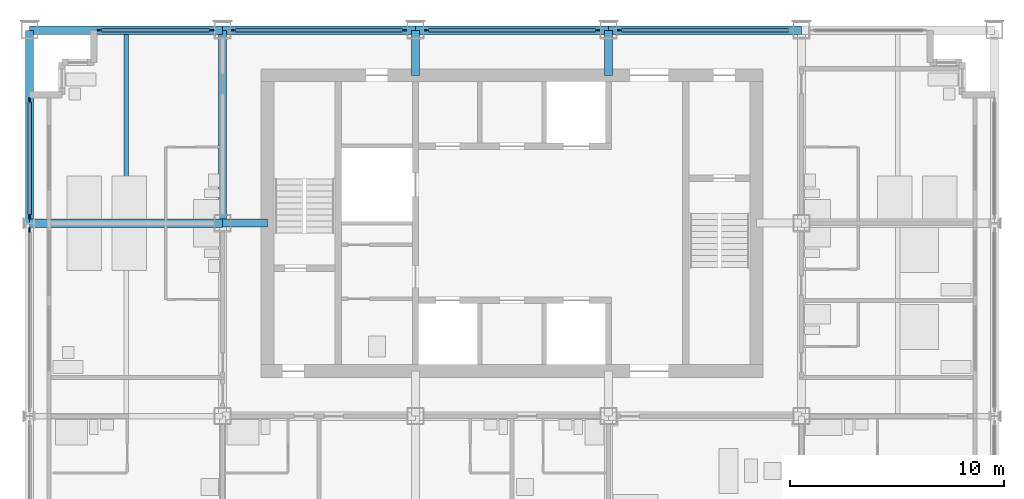
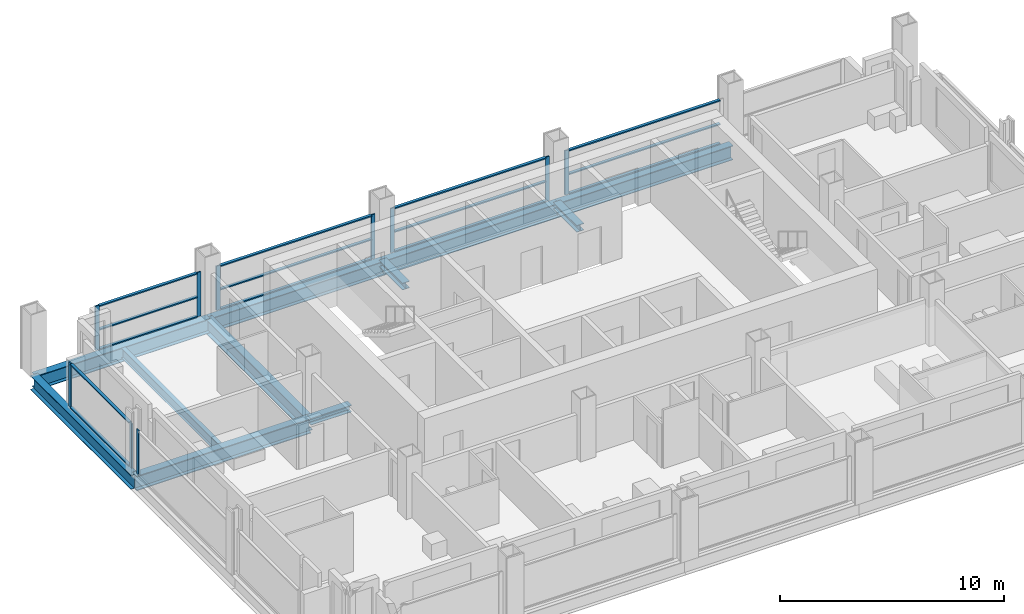
# One storey, part 4 of 13: 27 members, 8 beams, 6 elements without a shape of their own.
"""IFC4 building model written with IfcOpenShell, lengths in metres."""

import ifcopenshell
import ifcopenshell.guid

model = None  # the IFC model being written
_history = None  # IfcOwnerHistory: only IFC2X3 demands one
_inside = {}  # id of a spatial element -> (the spatial element, [elements in it])
_under = {}  # id of a project, library or spatial element -> (it, [spatial elements below it])
_declared = {}  # id of a project -> (the project, [libraries it declares])
_typed = {}  # id of a type object -> (the type object, [elements of that type])
_made_of = {}  # id of a material, layer set ... -> (it, [elements and type objects made of it])


def new_model(schema):
    """Start an empty IFC model of exactly this schema.

    Asked for "IFC4X3", IfcOpenShell would pick the latest addendum, in which some entities
    have other attributes; the version numbers below select the first issue.
    IFC2X3 requires an IfcOwnerHistory on every rooted entity: one is made here for all.
    """
    global model, _history
    if schema == "IFC4X3":
        model = ifcopenshell.file(schema_version=(4, 3, 0, 0))
    else:
        model = ifcopenshell.file(schema=schema)
    _inside.clear()
    _under.clear()
    _declared.clear()
    _typed.clear()
    _made_of.clear()
    _history = None
    if model.schema == "IFC2X3":
        org = make("IfcOrganization", Name="unknown")
        user = make(
            "IfcPersonAndOrganization",
            ThePerson=make("IfcPerson", FamilyName="unknown"),
            TheOrganization=org,
        )
        app = make(
            "IfcApplication",
            ApplicationDeveloper=org,
            Version="unknown",
            ApplicationFullName="unknown",
            ApplicationIdentifier="unknown",
        )
        _history = make(
            "IfcOwnerHistory",
            OwningUser=user,
            OwningApplication=app,
            ChangeAction="ADDED",
            CreationDate=0,
        )
    return model


def make(cls, **values):
    """One entity of the class cls with the attributes given. An attribute that is None is left unset."""
    return model.create_entity(
        cls, **{name: value for name, value in values.items() if value is not None}
    )


def rooted(cls, **values):
    """An entity with a GlobalId (a new one), such as an element, a storey or a relation."""
    return make(cls, GlobalId=ifcopenshell.guid.new(), OwnerHistory=_history, **values)


def si_unit(unit_type, name, prefix=None):
    """IfcSIUnit, for example si_unit("LENGTHUNIT", "METRE", prefix="MILLI")."""
    return make("IfcSIUnit", UnitType=unit_type, Prefix=prefix, Name=name)


def assignment(units):
    """IfcUnitAssignment: the units of a project."""
    return None if units is None else make("IfcUnitAssignment", Units=units)


def point(xyz):
    """IfcCartesianPoint."""
    return None if xyz is None else make("IfcCartesianPoint", Coordinates=xyz)


def direction(xyz):
    """IfcDirection."""
    return None if xyz is None else make("IfcDirection", DirectionRatios=xyz)


def frame(location, z_axis=None, x_axis=None):
    """IfcAxis2Placement3D, a coordinate frame: its origin and axes. An axis left out is left unset."""
    return make(
        "IfcAxis2Placement3D",
        Location=point(location),
        Axis=direction(z_axis),
        RefDirection=direction(x_axis),
    )


def frame_2d(location, x_axis=None):
    """IfcAxis2Placement2D, a coordinate frame in the plane: its origin and x axis."""
    return make(
        "IfcAxis2Placement2D", Location=point(location), RefDirection=direction(x_axis)
    )


def origin():
    """The frame at (0, 0, 0) with its axes left unset."""
    return frame((0.0, 0.0, 0.0))


def origin_2d():
    """The frame at (0, 0) in the plane with its x axis left unset."""
    return frame_2d((0.0, 0.0))


def place(relative_to, where):
    """IfcLocalPlacement: puts the frame where relative to a parent placement (None: the world)."""
    return make(
        "IfcLocalPlacement", PlacementRelTo=relative_to, RelativePlacement=where
    )


def context(
    kind, dimensions, precision=None, world=None, true_north=None, identifier=None
):
    """IfcGeometricRepresentationContext, for example the 3D "Model" context."""
    return make(
        "IfcGeometricRepresentationContext",
        ContextIdentifier=identifier,
        ContextType=kind,
        CoordinateSpaceDimension=dimensions,
        Precision=precision,
        WorldCoordinateSystem=world,
        TrueNorth=true_north,
    )


def subcontext(parent, identifier, kind, view, scale=None):
    """IfcGeometricRepresentationSubContext, for example "Body" below "Model"."""
    return make(
        "IfcGeometricRepresentationSubContext",
        ContextIdentifier=identifier,
        ContextType=kind,
        ParentContext=parent,
        TargetScale=scale,
        TargetView=view,
    )


def project(units=None, contexts=None):
    """IfcProject with its units and contexts."""
    return rooted(
        "IfcProject",
        Name="project",
        RepresentationContexts=contexts,
        UnitsInContext=assignment(units),
    )


def spatial(cls, under=None, at=None, **own):
    """A site, building, storey or space (cls), placed at a placement, below another one or the project."""
    s = rooted(cls, ObjectPlacement=at, **own)
    if under is not None:
        _under.setdefault(under.id(), (under, []))[1].append(s)
    return s


def profile(cls, at=None, kind="AREA", **sizes):
    """A parametric profile (cls). Its sizes go by their IFC names, for example OverallWidth=200.0."""
    return make(cls, ProfileType=kind, Position=at, **sizes)


def rectangle(**sizes):
    """IfcRectangleProfileDef."""
    return profile("IfcRectangleProfileDef", **sizes)


def i_section(**sizes):
    """IfcIShapeProfileDef."""
    return profile("IfcIShapeProfileDef", **sizes)


def extrude(swept, where, along, depth):
    """IfcExtrudedAreaSolid: the profile swept, set in the frame where, extruded along a direction by depth."""
    return make(
        "IfcExtrudedAreaSolid",
        SweptArea=swept,
        Position=where,
        ExtrudedDirection=direction(along),
        Depth=depth,
    )


def shape(context_of_items, identifier, shape_type, items):
    """IfcShapeRepresentation: the items that make up one representation, for example the "Body"."""
    return make(
        "IfcShapeRepresentation",
        ContextOfItems=context_of_items,
        RepresentationIdentifier=identifier,
        RepresentationType=shape_type,
        Items=items,
    )


def material(Name=None, Category=None):
    """IfcMaterial."""
    return make("IfcMaterial", Name=Name, Category=Category)


def material_profile(
    of_material, cross_section, Name=None, Category=None, Priority=None
):
    """IfcMaterialProfile: a cross section and its material."""
    return make(
        "IfcMaterialProfile",
        Name=Name,
        Material=of_material,
        Profile=cross_section,
        Priority=Priority,
        Category=Category,
    )


def profile_set(profiles, Name=None, composite=None):
    """IfcMaterialProfileSet."""
    return make(
        "IfcMaterialProfileSet",
        Name=Name,
        MaterialProfiles=profiles,
        CompositeProfile=composite,
    )


def made_of(thing, what):
    """Note that an element or type object is made of a material, layer set ...; save() writes the relation."""
    if what is not None:
        _made_of.setdefault(what.id(), (what, []))[1].append(thing)
    return thing


def type_object(cls, material=None, **own):
    """A type object (cls), such as IfcWallType, which elements share."""
    return made_of(rooted(cls, **own), material)


def element(
    cls,
    number,
    at=None,
    inside=None,
    cuts=None,
    type_object=None,
    material=None,
    context=None,
    identifier="Body",
    shape_type=None,
    held_by="IfcProductDefinitionShape",
    body=None,
    shapes=None,
    **own,
):
    """One element of the class cls, such as IfcWall. Its Tag is "e" and its number.

    at: its placement. inside: the storey or other place that contains it. cuts: it is an
    opening in that element (IfcRelVoidsElement). A single representation is given by context,
    identifier, shape_type and body (its items); several are given by shapes. held_by: the class
    of the entity that holds the representations. save() writes the other relations.
    """
    e = rooted(cls, Tag="e%d" % number, ObjectPlacement=at, **own)
    if body is not None:
        shapes = [shape(context, identifier, shape_type, body)]
    if shapes is not None:
        e.Representation = make(held_by, Representations=shapes)
    if inside is not None:
        _inside.setdefault(inside.id(), (inside, []))[1].append(e)
    if cuts is not None:
        rooted(
            "IfcRelVoidsElement", RelatingBuildingElement=cuts, RelatedOpeningElement=e
        )
    if type_object is not None:
        _typed.setdefault(type_object.id(), (type_object, []))[1].append(e)
    return made_of(e, material)


def aggregate(whole, parts):
    """IfcRelAggregates: a whole, such as a stair, and the parts it consists of."""
    return rooted("IfcRelAggregates", RelatingObject=whole, RelatedObjects=parts)


def save(model, path):
    """Write the relations noted so far, then the file.

    IfcRelAggregates (storeys below a building ...), IfcRelContainedInSpatialStructure (elements
    in a storey), IfcRelDefinesByType, IfcRelAssociatesMaterial and IfcRelDeclares: one each for
    every whole, place, type object, material and project.
    """
    for whole, parts in _under.values():
        aggregate(whole, parts)
    for where, things in _inside.values():
        rooted(
            "IfcRelContainedInSpatialStructure",
            RelatedElements=things,
            RelatingStructure=where,
        )
    for kind, things in _typed.values():
        rooted("IfcRelDefinesByType", RelatedObjects=things, RelatingType=kind)
    for what, things in _made_of.values():
        rooted("IfcRelAssociatesMaterial", RelatedObjects=things, RelatingMaterial=what)
    for by, libraries in _declared.values():
        rooted("IfcRelDeclares", RelatingContext=by, RelatedDefinitions=libraries)
    model.write(path)


model = new_model("IFC4")

# Units and contexts
model_context = context("Model", 3, precision=1e-05, world=origin(), true_north=direction((0.0, 1.0)))
body_context = subcontext(model_context, "Body", "Model", "MODEL_VIEW")
ifc_project = project(units=[si_unit("LENGTHUNIT", "METRE"), si_unit("AREAUNIT", "SQUARE_METRE"), si_unit("VOLUMEUNIT", "CUBIC_METRE"), si_unit("PLANEANGLEUNIT", "RADIAN"), si_unit("MASSUNIT", "GRAM", prefix="KILO")], contexts=[model_context])

# Site, building, storey
site_placement = place(None, origin())
site = spatial("IfcSite", under=ifc_project, at=site_placement, CompositionType="ELEMENT")
building_placement = place(site_placement, origin())
building = spatial("IfcBuilding", under=site, at=building_placement, Name="Loomwork Tower", CompositionType="ELEMENT")
storey_placement = place(building_placement, frame((0.0, 0.0, 194.39990234375)))
storey = spatial("IfcBuildingStorey", under=building, at=storey_placement, Name="L53", CompositionType="ELEMENT", Elevation=194.39990234375)

# Beams
ifc_material_1 = material(Name="Steel ASTM A992", Category="steel")
ifc_material_profile_1 = material_profile(ifc_material_1, i_section(OverallWidth=0.383544921875, OverallDepth=0.794921875, WebThickness=0.02099609375, FlangeThickness=0.0380859375, at=origin_2d()), Name="W30x235")
ifc_profile_set_1 = profile_set([ifc_material_profile_1], Name="Steel ASTM A992")
beam_type_1 = type_object("IfcBeamType", Name="CORE FLANK GIRDER W30x235", PredefinedType="BEAM", material=ifc_profile_set_1)
for number, where, z_axis, x_axis, name in (
    (1, (0.0, 18.0, -0.597412109375), (1.0, 0.0, 0.0), (0.0, 1.0, 0.0), "Core Flank Girder F/2-F/3 L53"),
    (2, (9.0, 18.0, -0.597412109375), (0.0, 1.0, 0.0), (-1.0, 0.0, 0.0), "Core Flank Girder F/3-G/3 L53"),
):
    element("IfcBeam", number, at=place(storey_placement, frame(where, z_axis=z_axis, x_axis=x_axis)), inside=storey, type_object=beam_type_1, Name=name, PredefinedType="BEAM", context=body_context, shape_type="SweptSolid", body=[
        extrude(i_section(OverallWidth=0.383544921875, OverallDepth=0.794921875, WebThickness=0.02099609375, FlangeThickness=0.0380859375, at=origin_2d()), origin(), (0.0, 0.0, 1.0), 9.0),
    ])

# Members
ifc_material_2 = material(Name="Steel ASTM A992", Category="steel")
ifc_material_profile_2 = material_profile(ifc_material_2, i_section(OverallWidth=0.373291015625, OverallDepth=0.373291015625, WebThickness=0.016357421875, FlangeThickness=0.026123046875, at=origin_2d()), Name="W14x132")
ifc_profile_set_2 = profile_set([ifc_material_profile_2], Name="Steel ASTM A992")
member_type_1 = type_object("IfcMemberType", Name="CORE LINK STRUT W14x132", PredefinedType="STRUT", material=ifc_profile_set_2)
for number, where, z_axis, x_axis, name in (
    (3, (27.0, 27.0, -0.386474609375), (0.0, -1.0, 0.0), (1.0, 0.0, 0.0), "Core link strut G/5-27.000,24.900 L53"),
    (4, (18.0, 27.0, -0.386474609375), (0.0, -1.0, 0.0), (1.0, 0.0, 0.0), "Core link strut G/4-18.000,24.900 L53"),
    (5, (9.0, 18.0, -0.386474609375), (1.0, 0.0, 0.0), (0.0, 1.0, 0.0), "Core link strut F/3-11.100,18.000 L53"),
):
    element("IfcMember", number, at=place(storey_placement, frame(where, z_axis=z_axis, x_axis=x_axis)), inside=storey, type_object=member_type_1, Name=name, PredefinedType="STRUT", context=body_context, shape_type="SweptSolid", body=[
        extrude(i_section(OverallWidth=0.373291015625, OverallDepth=0.373291015625, WebThickness=0.016357421875, FlangeThickness=0.026123046875, at=origin_2d()), origin(), (0.0, 0.0, 1.0), 2.10009765625),
    ])

# Beam
ifc_material_3 = material(Name="Steel ASTM A992", Category="steel")
ifc_material_profile_3 = material_profile(ifc_material_3, i_section(OverallWidth=0.2109375, OverallDepth=0.53857421875, WebThickness=0.011474609375, FlangeThickness=0.018798828125, at=origin_2d()), Name="W21x73")
ifc_profile_set_3 = profile_set([ifc_material_profile_3], Name="Steel ASTM A992")
beam_type_2 = type_object("IfcBeamType", Name="FLOOR JOIST W21x73", PredefinedType="JOIST", material=ifc_profile_set_3)
beam_placement = place(storey_placement, frame((4.5, 18.19091796875, -0.46923828125), z_axis=(0.0, 1.0, 0.0), x_axis=(-1.0, 0.0, 0.0)))
element("IfcBeam", 6, at=beam_placement, inside=storey, type_object=beam_type_2, Name="Floor Joist 4.500,18.000-4.500,27.000 L53", PredefinedType="JOIST", context=body_context, shape_type="SweptSolid", body=[
    extrude(i_section(OverallWidth=0.2109375, OverallDepth=0.53857421875, WebThickness=0.011474609375, FlangeThickness=0.018798828125, at=origin_2d()), origin(), (0.0, 0.0, 1.0), 8.619140625),
])

# Curtain wall, member
ifc_material_4 = material(Name="Aluminium curtain wall frame", Category="aluminium")
curtain_wall_type_1 = type_object("IfcCurtainWallType", Name="Outer skin glazing hotel", PredefinedType="NOTDEFINED", material=ifc_material_4)
curtain_wall_1_placement = place(storey_placement, origin())
curtain_wall_1 = element("IfcCurtainWall", 7, at=curtain_wall_1_placement, inside=storey, type_object=curtain_wall_type_1, Name="Outer skin glazing hotel cw/W-9", PredefinedType="NOTDEFINED")
ifc_material_5 = material(Name="Aluminium curtain wall frame", Category="aluminium")
ifc_material_profile_4 = material_profile(ifc_material_5, rectangle(XDim=0.06494140625, YDim=0.199951171875, at=origin_2d()), Name="AL 65x200")
ifc_profile_set_4 = profile_set([ifc_material_profile_4], Name="Aluminium curtain wall frame")
member_type_2 = type_object("IfcMemberType", Name="Outer skin glazing hotel mullion", PredefinedType="MULLION", material=ifc_profile_set_4)
member_1_placement = place(storey_placement, frame((0.0, 17.6865234375, 0.0), z_axis=(0.0, 0.0, 1.0), x_axis=(1.0, 0.0, 0.0)))
member_1 = element("IfcMember", 8, at=member_1_placement, type_object=member_type_2, Name="CW1 mullion 1", PredefinedType="MULLION", context=body_context, shape_type="SweptSolid", body=[
    extrude(rectangle(XDim=0.06494140625, YDim=0.199951171875, at=origin_2d()), origin(), (0.0, 0.0, 1.0), 2.42041015625),
])
aggregate(curtain_wall_1, [member_1])

# Curtain wall, members
curtain_wall_2_placement = place(storey_placement, origin())
curtain_wall_2 = element("IfcCurtainWall", 9, at=curtain_wall_2_placement, inside=storey, type_object=curtain_wall_type_1, Name="Outer skin glazing hotel cw/W-18", PredefinedType="NOTDEFINED")
member_2_placement = place(storey_placement, frame((0.0, 23.75, 0.0), z_axis=(0.0, 0.0, 1.0), x_axis=(1.0, 0.0, 0.0)))
member_2 = element("IfcMember", 10, at=member_2_placement, type_object=member_type_2, Name="CW1 mullion 1", PredefinedType="MULLION", context=body_context, shape_type="SweptSolid", body=[
    extrude(rectangle(XDim=0.06494140625, YDim=0.199951171875, at=origin_2d()), origin(), (0.0, 0.0, 1.0), 2.42041015625),
])
member_3_placement = place(storey_placement, frame((0.0, 18.3134765625, 0.0), z_axis=(0.0, 0.0, 1.0), x_axis=(1.0, 0.0, 0.0)))
member_3 = element("IfcMember", 11, at=member_3_placement, type_object=member_type_2, Name="CW1 mullion 2", PredefinedType="MULLION", context=body_context, shape_type="SweptSolid", body=[
    extrude(rectangle(XDim=0.06494140625, YDim=0.199951171875, at=origin_2d()), origin(), (0.0, 0.0, 1.0), 2.42041015625),
])
ifc_material_6 = material(Name="Aluminium curtain wall frame", Category="aluminium")
ifc_material_profile_5 = material_profile(ifc_material_6, rectangle(XDim=0.14990234375, YDim=0.06494140625, at=origin_2d()), Name="AL 65x150")
ifc_profile_set_5 = profile_set([ifc_material_profile_5], Name="Aluminium curtain wall frame")
member_type_3 = type_object("IfcMemberType", Name="Outer skin glazing hotel transom", PredefinedType="USERDEFINED", material=ifc_profile_set_5)
member_4_placement = place(storey_placement, frame((0.0, 23.64990234375, 0.03271484375), z_axis=(0.0, -1.0, 0.0), x_axis=(1.0, 0.0, 0.0)))
member_4 = element("IfcMember", 12, at=member_4_placement, type_object=member_type_3, Name="CW1 transom 1.1", ObjectType="TRANSOM", PredefinedType="USERDEFINED", context=body_context, shape_type="SweptSolid", body=[
    extrude(rectangle(XDim=0.14990234375, YDim=0.06494140625, at=origin_2d()), origin(), (0.0, 0.0, 1.0), 5.236572265625),
])
member_5_placement = place(storey_placement, frame((0.0, 23.64990234375, 2.3876953125), z_axis=(0.0, -1.0, 0.0), x_axis=(1.0, 0.0, 0.0)))
member_5 = element("IfcMember", 13, at=member_5_placement, type_object=member_type_3, Name="CW1 transom 1.2", ObjectType="TRANSOM", PredefinedType="USERDEFINED", context=body_context, shape_type="SweptSolid", body=[
    extrude(rectangle(XDim=0.14990234375, YDim=0.06494140625, at=origin_2d()), origin(), (0.0, 0.0, 1.0), 5.236572265625),
])
aggregate(curtain_wall_2, [member_2, member_3, member_4, member_5])

# Beams
ifc_material_7 = material(Name="Steel ASTM A992", Category="steel")
ifc_material_profile_6 = material_profile(ifc_material_7, i_section(OverallWidth=0.381103515625, OverallDepth=0.77978515625, WebThickness=0.01806640625, FlangeThickness=0.0302734375, at=origin_2d()), Name="W30x191")
ifc_profile_set_6 = profile_set([ifc_material_profile_6], Name="Steel ASTM A992")
beam_type_3 = type_object("IfcBeamType", Name="SPANDREL GIRDER W30x191", PredefinedType="SPANDREL", material=ifc_profile_set_6)
for number, where, z_axis, x_axis, name in (
    (14, (0.0, 27.0, -0.58984375), (1.0, 0.0, 0.0), (0.0, 1.0, 0.0), "Spandrel Girder G/2-G/3 L53"),
    (15, (9.0, 27.0, -0.58984375), (1.0, 0.0, 0.0), (0.0, 1.0, 0.0), "Spandrel Girder G/3-G/4 L53"),
    (16, (18.0, 27.0, -0.58984375), (1.0, 0.0, 0.0), (0.0, 1.0, 0.0), "Spandrel Girder G/4-G/5 L53"),
    (17, (27.0, 27.0, -0.58984375), (1.0, 0.0, 0.0), (0.0, 1.0, 0.0), "Spandrel Girder G/5-G/6 L53"),
    (18, (0.0, 18.0, -0.58984375), (0.0, 1.0, 0.0), (-1.0, 0.0, 0.0), "Spandrel Girder F/2-G/2 L53"),
):
    element("IfcBeam", number, at=place(storey_placement, frame(where, z_axis=z_axis, x_axis=x_axis)), inside=storey, type_object=beam_type_3, Name=name, PredefinedType="SPANDREL", context=body_context, shape_type="SweptSolid", body=[
        extrude(i_section(OverallWidth=0.381103515625, OverallDepth=0.77978515625, WebThickness=0.01806640625, FlangeThickness=0.0302734375, at=origin_2d()), origin(), (0.0, 0.0, 1.0), 9.0),
    ])

# Curtain wall, members
ifc_material_8 = material(Name="Aluminium curtain wall frame", Category="aluminium")
curtain_wall_type_2 = type_object("IfcCurtainWallType", Name="Single skin glazing corridor", PredefinedType="NOTDEFINED", material=ifc_material_8)
curtain_wall_3_placement = place(storey_placement, origin())
curtain_wall_3 = element("IfcCurtainWall", 19, at=curtain_wall_3_placement, inside=storey, type_object=curtain_wall_type_2, Name="Single skin glazing corridor cw/N-0", PredefinedType="NOTDEFINED")
ifc_material_9 = material(Name="Aluminium curtain wall frame", Category="aluminium")
ifc_material_profile_7 = material_profile(ifc_material_9, rectangle(XDim=0.06494140625, YDim=0.199951171875, at=origin_2d()), Name="AL 65x200")
ifc_profile_set_7 = profile_set([ifc_material_profile_7], Name="Aluminium curtain wall frame")
member_type_4 = type_object("IfcMemberType", Name="Single skin glazing corridor mullion", PredefinedType="MULLION", material=ifc_profile_set_7)
member_6_placement = place(storey_placement, frame((8.5, 27.0, 0.0), z_axis=(0.0, 0.0, 1.0), x_axis=(0.0, -1.0, 0.0)))
member_6 = element("IfcMember", 20, at=member_6_placement, type_object=member_type_4, Name="CW3 mullion 1", PredefinedType="MULLION", context=body_context, shape_type="SweptSolid", body=[
    extrude(rectangle(XDim=0.06494140625, YDim=0.199951171875, at=origin_2d()), origin(), (0.0, 0.0, 1.0), 2.42041015625),
])
member_7_placement = place(storey_placement, frame((3.25, 27.0, 0.0), z_axis=(0.0, 0.0, 1.0), x_axis=(0.0, -1.0, 0.0)))
member_7 = element("IfcMember", 21, at=member_7_placement, type_object=member_type_4, Name="CW3 mullion 2", PredefinedType="MULLION", context=body_context, shape_type="SweptSolid", body=[
    extrude(rectangle(XDim=0.06494140625, YDim=0.199951171875, at=origin_2d()), origin(), (0.0, 0.0, 1.0), 2.42041015625),
])

curtain_wall_4_placement = place(storey_placement, origin())
curtain_wall_4 = element("IfcCurtainWall", 22, at=curtain_wall_4_placement, inside=storey, type_object=curtain_wall_type_2, Name="Single skin glazing corridor cw/N-9", PredefinedType="NOTDEFINED")
member_8_placement = place(storey_placement, frame((17.5, 27.0, 0.0), z_axis=(0.0, 0.0, 1.0), x_axis=(0.0, -1.0, 0.0)))
member_8 = element("IfcMember", 23, at=member_8_placement, type_object=member_type_4, Name="CW3 mullion 1", PredefinedType="MULLION", context=body_context, shape_type="SweptSolid", body=[
    extrude(rectangle(XDim=0.06494140625, YDim=0.199951171875, at=origin_2d()), origin(), (0.0, 0.0, 1.0), 2.42041015625),
])
member_9_placement = place(storey_placement, frame((9.5, 27.0, 0.0), z_axis=(0.0, 0.0, 1.0), x_axis=(0.0, -1.0, 0.0)))
member_9 = element("IfcMember", 24, at=member_9_placement, type_object=member_type_4, Name="CW3 mullion 2", PredefinedType="MULLION", context=body_context, shape_type="SweptSolid", body=[
    extrude(rectangle(XDim=0.06494140625, YDim=0.199951171875, at=origin_2d()), origin(), (0.0, 0.0, 1.0), 2.42041015625),
])

curtain_wall_5_placement = place(storey_placement, origin())
curtain_wall_5 = element("IfcCurtainWall", 25, at=curtain_wall_5_placement, inside=storey, type_object=curtain_wall_type_2, Name="Single skin glazing corridor cw/N-18", PredefinedType="NOTDEFINED")
member_10_placement = place(storey_placement, frame((26.5, 27.0, 0.0), z_axis=(0.0, 0.0, 1.0), x_axis=(0.0, -1.0, 0.0)))
member_10 = element("IfcMember", 26, at=member_10_placement, type_object=member_type_4, Name="CW3 mullion 1", PredefinedType="MULLION", context=body_context, shape_type="SweptSolid", body=[
    extrude(rectangle(XDim=0.06494140625, YDim=0.199951171875, at=origin_2d()), origin(), (0.0, 0.0, 1.0), 2.42041015625),
])
member_11_placement = place(storey_placement, frame((18.5, 27.0, 0.0), z_axis=(0.0, 0.0, 1.0), x_axis=(0.0, -1.0, 0.0)))
member_11 = element("IfcMember", 27, at=member_11_placement, type_object=member_type_4, Name="CW3 mullion 2", PredefinedType="MULLION", context=body_context, shape_type="SweptSolid", body=[
    extrude(rectangle(XDim=0.06494140625, YDim=0.199951171875, at=origin_2d()), origin(), (0.0, 0.0, 1.0), 2.42041015625),
])

# Curtain wall, member
curtain_wall_6_placement = place(storey_placement, origin())
curtain_wall_6 = element("IfcCurtainWall", 28, at=curtain_wall_6_placement, inside=storey, type_object=curtain_wall_type_2, Name="Single skin glazing corridor cw/N-27", PredefinedType="NOTDEFINED")
member_12_placement = place(storey_placement, frame((27.5, 27.0, 0.0), z_axis=(0.0, 0.0, 1.0), x_axis=(0.0, -1.0, 0.0)))
member_12 = element("IfcMember", 29, at=member_12_placement, type_object=member_type_4, Name="CW3 mullion 2", PredefinedType="MULLION", context=body_context, shape_type="SweptSolid", body=[
    extrude(rectangle(XDim=0.06494140625, YDim=0.199951171875, at=origin_2d()), origin(), (0.0, 0.0, 1.0), 2.42041015625),
])

# Member
ifc_material_10 = material(Name="Aluminium curtain wall frame", Category="aluminium")
ifc_material_profile_8 = material_profile(ifc_material_10, rectangle(XDim=0.14990234375, YDim=0.06494140625, at=origin_2d()), Name="AL 65x150")
ifc_profile_set_8 = profile_set([ifc_material_profile_8], Name="Aluminium curtain wall frame")
member_type_5 = type_object("IfcMemberType", Name="Single skin glazing corridor transom", PredefinedType="USERDEFINED", material=ifc_profile_set_8)
member_13_placement = place(storey_placement, frame((8.39990234375, 27.0, 0.03271484375), z_axis=(-1.0, 0.0, 0.0), x_axis=(0.0, -1.0, 0.0)))
member_13 = element("IfcMember", 30, at=member_13_placement, type_object=member_type_5, Name="CW3 transom 1.1", ObjectType="TRANSOM", PredefinedType="USERDEFINED", context=body_context, shape_type="SweptSolid", body=[
    extrude(rectangle(XDim=0.14990234375, YDim=0.06494140625, at=origin_2d()), origin(), (0.0, 0.0, 1.0), 5.0498046875),
])

member_14_placement = place(storey_placement, frame((8.39990234375, 27.0, 1.10009765625), z_axis=(-1.0, 0.0, 0.0), x_axis=(0.0, -1.0, 0.0)))
member_14 = element("IfcMember", 31, at=member_14_placement, type_object=member_type_5, Name="CW3 transom 1.2", ObjectType="TRANSOM", PredefinedType="USERDEFINED", context=body_context, shape_type="SweptSolid", body=[
    extrude(rectangle(XDim=0.14990234375, YDim=0.06494140625, at=origin_2d()), origin(), (0.0, 0.0, 1.0), 5.0498046875),
])

member_15_placement = place(storey_placement, frame((8.39990234375, 27.0, 2.3876953125), z_axis=(-1.0, 0.0, 0.0), x_axis=(0.0, -1.0, 0.0)))
member_15 = element("IfcMember", 32, at=member_15_placement, type_object=member_type_5, Name="CW3 transom 1.3", ObjectType="TRANSOM", PredefinedType="USERDEFINED", context=body_context, shape_type="SweptSolid", body=[
    extrude(rectangle(XDim=0.14990234375, YDim=0.06494140625, at=origin_2d()), origin(), (0.0, 0.0, 1.0), 5.0498046875),
])

aggregate(curtain_wall_3, [member_6, member_7, member_13, member_14, member_15])

member_16_placement = place(storey_placement, frame((17.39990234375, 27.0, 0.03271484375), z_axis=(-1.0, 0.0, 0.0), x_axis=(0.0, -1.0, 0.0)))
member_16 = element("IfcMember", 33, at=member_16_placement, type_object=member_type_5, Name="CW3 transom 1.1", ObjectType="TRANSOM", PredefinedType="USERDEFINED", context=body_context, shape_type="SweptSolid", body=[
    extrude(rectangle(XDim=0.14990234375, YDim=0.06494140625, at=origin_2d()), origin(), (0.0, 0.0, 1.0), 7.7998046875),
])

member_17_placement = place(storey_placement, frame((17.39990234375, 27.0, 1.10009765625), z_axis=(-1.0, 0.0, 0.0), x_axis=(0.0, -1.0, 0.0)))
member_17 = element("IfcMember", 34, at=member_17_placement, type_object=member_type_5, Name="CW3 transom 1.2", ObjectType="TRANSOM", PredefinedType="USERDEFINED", context=body_context, shape_type="SweptSolid", body=[
    extrude(rectangle(XDim=0.14990234375, YDim=0.06494140625, at=origin_2d()), origin(), (0.0, 0.0, 1.0), 7.7998046875),
])

member_18_placement = place(storey_placement, frame((17.39990234375, 27.0, 2.3876953125), z_axis=(-1.0, 0.0, 0.0), x_axis=(0.0, -1.0, 0.0)))
member_18 = element("IfcMember", 35, at=member_18_placement, type_object=member_type_5, Name="CW3 transom 1.3", ObjectType="TRANSOM", PredefinedType="USERDEFINED", context=body_context, shape_type="SweptSolid", body=[
    extrude(rectangle(XDim=0.14990234375, YDim=0.06494140625, at=origin_2d()), origin(), (0.0, 0.0, 1.0), 7.7998046875),
])

aggregate(curtain_wall_4, [member_8, member_9, member_16, member_17, member_18])

member_19_placement = place(storey_placement, frame((26.39990234375, 27.0, 0.03271484375), z_axis=(-1.0, 0.0, 0.0), x_axis=(0.0, -1.0, 0.0)))
member_19 = element("IfcMember", 36, at=member_19_placement, type_object=member_type_5, Name="CW3 transom 1.1", ObjectType="TRANSOM", PredefinedType="USERDEFINED", context=body_context, shape_type="SweptSolid", body=[
    extrude(rectangle(XDim=0.14990234375, YDim=0.06494140625, at=origin_2d()), origin(), (0.0, 0.0, 1.0), 7.7998046875),
])

member_20_placement = place(storey_placement, frame((26.39990234375, 27.0, 1.10009765625), z_axis=(-1.0, 0.0, 0.0), x_axis=(0.0, -1.0, 0.0)))
member_20 = element("IfcMember", 37, at=member_20_placement, type_object=member_type_5, Name="CW3 transom 1.2", ObjectType="TRANSOM", PredefinedType="USERDEFINED", context=body_context, shape_type="SweptSolid", body=[
    extrude(rectangle(XDim=0.14990234375, YDim=0.06494140625, at=origin_2d()), origin(), (0.0, 0.0, 1.0), 7.7998046875),
])

member_21_placement = place(storey_placement, frame((26.39990234375, 27.0, 2.3876953125), z_axis=(-1.0, 0.0, 0.0), x_axis=(0.0, -1.0, 0.0)))
member_21 = element("IfcMember", 38, at=member_21_placement, type_object=member_type_5, Name="CW3 transom 1.3", ObjectType="TRANSOM", PredefinedType="USERDEFINED", context=body_context, shape_type="SweptSolid", body=[
    extrude(rectangle(XDim=0.14990234375, YDim=0.06494140625, at=origin_2d()), origin(), (0.0, 0.0, 1.0), 7.7998046875),
])

aggregate(curtain_wall_5, [member_10, member_11, member_19, member_20, member_21])

member_22_placement = place(storey_placement, frame((35.39990234375, 27.0, 0.03271484375), z_axis=(-1.0, 0.0, 0.0), x_axis=(0.0, -1.0, 0.0)))
member_22 = element("IfcMember", 39, at=member_22_placement, type_object=member_type_5, Name="CW3 transom 1.1", ObjectType="TRANSOM", PredefinedType="USERDEFINED", context=body_context, shape_type="SweptSolid", body=[
    extrude(rectangle(XDim=0.14990234375, YDim=0.06494140625, at=origin_2d()), origin(), (0.0, 0.0, 1.0), 7.7998046875),
])

member_23_placement = place(storey_placement, frame((35.39990234375, 27.0, 1.10009765625), z_axis=(-1.0, 0.0, 0.0), x_axis=(0.0, -1.0, 0.0)))
member_23 = element("IfcMember", 40, at=member_23_placement, type_object=member_type_5, Name="CW3 transom 1.2", ObjectType="TRANSOM", PredefinedType="USERDEFINED", context=body_context, shape_type="SweptSolid", body=[
    extrude(rectangle(XDim=0.14990234375, YDim=0.06494140625, at=origin_2d()), origin(), (0.0, 0.0, 1.0), 7.7998046875),
])

member_24_placement = place(storey_placement, frame((35.39990234375, 27.0, 2.3876953125), z_axis=(-1.0, 0.0, 0.0), x_axis=(0.0, -1.0, 0.0)))
member_24 = element("IfcMember", 41, at=member_24_placement, type_object=member_type_5, Name="CW3 transom 1.3", ObjectType="TRANSOM", PredefinedType="USERDEFINED", context=body_context, shape_type="SweptSolid", body=[
    extrude(rectangle(XDim=0.14990234375, YDim=0.06494140625, at=origin_2d()), origin(), (0.0, 0.0, 1.0), 7.7998046875),
])

aggregate(curtain_wall_6, [member_12, member_22, member_23, member_24])

save(model, "model.ifc")
